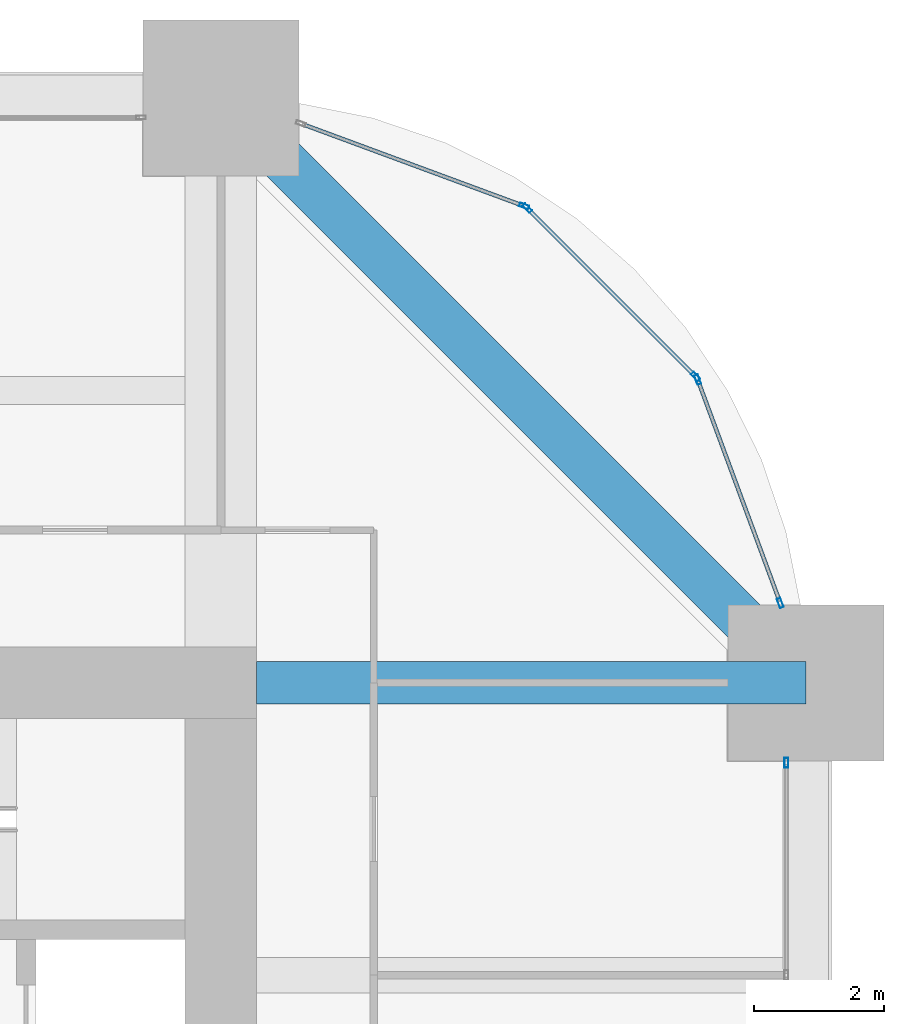
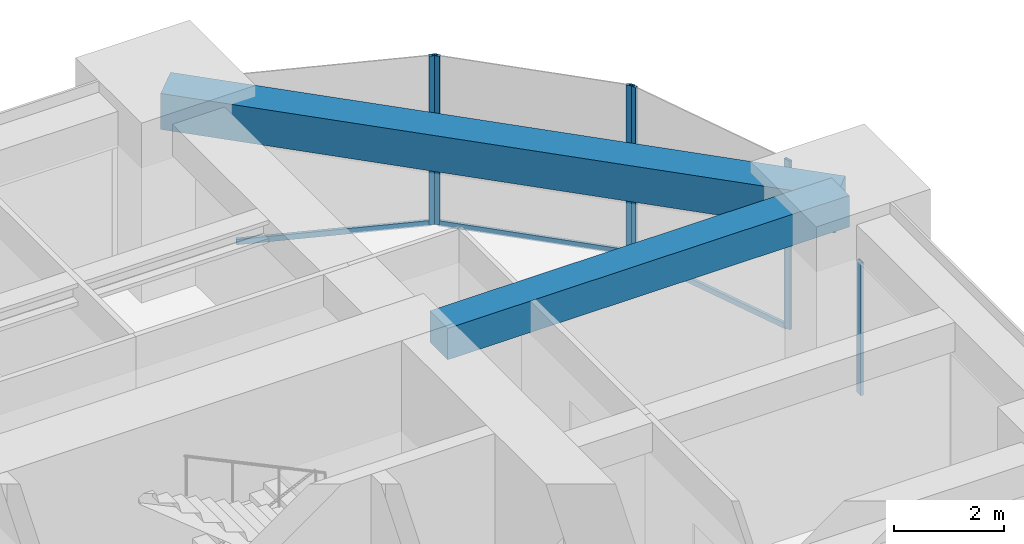
# One storey, part 27 of 33: 9 members, 2 beams, 4 elements without a shape of their own.
"""IFC4 building model written with IfcOpenShell, lengths in metres."""

from ifc_helpers import new_model, si_unit, direction, frame, origin, origin_2d, place, context, subcontext, project, spatial, rectangle, hollow_rectangle, extrude, material, material_profile, profile_set, type_object, element, aggregate, save


model = new_model("IFC4")

# Units and contexts
model_context = context("Model", 3, precision=1e-05, world=origin(), true_north=direction((0.0, 1.0)))
body_context = subcontext(model_context, "Body", "Model", "MODEL_VIEW")
ifc_project = project(units=[si_unit("LENGTHUNIT", "METRE"), si_unit("AREAUNIT", "SQUARE_METRE"), si_unit("VOLUMEUNIT", "CUBIC_METRE"), si_unit("PLANEANGLEUNIT", "RADIAN"), si_unit("MASSUNIT", "GRAM", prefix="KILO")], contexts=[model_context])

# Site, building, storey
site_placement = place(None, origin())
site = spatial("IfcSite", under=ifc_project, at=site_placement, CompositionType="ELEMENT")
building_placement = place(site_placement, origin())
building = spatial("IfcBuilding", under=site, at=building_placement, Name="Zorevar Civic Tower", CompositionType="ELEMENT")
storey_placement = place(building_placement, frame((0.0, 0.0, 210.199951171875)))
storey = spatial("IfcBuildingStorey", under=building, at=storey_placement, Name="L51", CompositionType="ELEMENT", Elevation=210.199951171875)

# Beam
ifc_material_1 = material(Name="Concrete C50/60", Category="concrete")
ifc_material_profile_1 = material_profile(ifc_material_1, rectangle(XDim=0.64990234375, YDim=0.699951171875, at=origin_2d()), Name="RC 650x700")
ifc_profile_set_1 = profile_set([ifc_material_profile_1], Name="Concrete C50/60")
beam_type_1 = type_object("IfcBeamType", Name="Beam RC 650x700", PredefinedType="BEAM", material=ifc_profile_set_1)
beam_1_placement = place(storey_placement, frame((45.550048828125, 36.0, 3.400146484375), z_axis=(1.0, 0.0, 0.0), x_axis=(0.0, 1.0, 0.0)))
element("IfcBeam", 1, at=beam_1_placement, inside=storey, type_object=beam_type_1, Name="Girder L52", PredefinedType="BEAM", context=body_context, shape_type="SweptSolid", body=[
    extrude(rectangle(XDim=0.64990234375, YDim=0.699951171875, at=origin_2d()), origin(), (0.0, 0.0, 1.0), 8.449951171875),
])

# Curtain wall, member
ifc_material_2 = material(Name="Dark grey solar-control glass in black aluminium frame", Category="aluminium")
curtain_wall_type = type_object("IfcCurtainWallType", Name="Curtain wall CW4 high zone", PredefinedType="NOTDEFINED", material=ifc_material_2)
curtain_wall_1_placement = place(storey_placement, origin())
curtain_wall_1 = element("IfcCurtainWall", 2, at=curtain_wall_1_placement, inside=storey, type_object=curtain_wall_type, Name="CW4 L51", PredefinedType="NOTDEFINED")
ifc_material_3 = material(Name="Aluminium, black anodised", Category="aluminium")
ifc_material_profile_2 = material_profile(ifc_material_3, hollow_rectangle(XDim=0.06005859375, YDim=0.14990234375, WallThickness=0.00390625, at=origin_2d()), Name="AL 150x60x4")
ifc_profile_set_2 = profile_set([ifc_material_profile_2], Name="Aluminium, black anodised")
member_type_1 = type_object("IfcMemberType", Name="CW4 mullion AL 150x60x4", PredefinedType="MULLION", material=ifc_profile_set_2)
member_1_placement = place(storey_placement, frame((53.699951171875, 34.77001953125, 0.0), z_axis=(0.0, 0.0, 1.0), x_axis=(-1.0, 0.0, 0.0)))
member_1 = element("IfcMember", 3, at=member_1_placement, type_object=member_type_1, Name="CW4 mullion 3", PredefinedType="MULLION", context=body_context, shape_type="SweptSolid", body=[
    extrude(hollow_rectangle(XDim=0.06005859375, YDim=0.14990234375, WallThickness=0.00390625, at=origin_2d()), origin(), (0.0, 0.0, 1.0), 2.949951171875),
])
aggregate(curtain_wall_1, [member_1])

# Curtain wall, members
curtain_wall_2_placement = place(storey_placement, origin())
curtain_wall_2 = element("IfcCurtainWall", 4, at=curtain_wall_2_placement, inside=storey, type_object=curtain_wall_type, Name="CW4 L51", PredefinedType="NOTDEFINED")
member_2_placement = place(storey_placement, frame((53.6064453125, 37.22802734375, 0.0), z_axis=(0.0, 0.0, 1.0), x_axis=(-0.937974588163, -0.346704012033, 0.0)))
member_2 = element("IfcMember", 5, at=member_2_placement, type_object=member_type_1, Name="CW4 mullion 1", PredefinedType="MULLION", context=body_context, shape_type="SweptSolid", body=[
    extrude(hollow_rectangle(XDim=0.06005859375, YDim=0.14990234375, WallThickness=0.00390625, at=origin_2d()), origin(), (0.0, 0.0, 1.0), 3.75),
])
member_3_placement = place(storey_placement, frame((52.336181640625, 40.66455078125, 0.0), z_axis=(0.0, 0.0, 1.0), x_axis=(-0.937974588163, -0.346704012033, 0.0)))
member_3 = element("IfcMember", 6, at=member_3_placement, type_object=member_type_1, Name="CW4 mullion 2", PredefinedType="MULLION", context=body_context, shape_type="SweptSolid", body=[
    extrude(hollow_rectangle(XDim=0.06005859375, YDim=0.14990234375, WallThickness=0.00390625, at=origin_2d()), origin(), (0.0, 0.0, 1.0), 3.75),
])

curtain_wall_3_placement = place(storey_placement, origin())
curtain_wall_3 = element("IfcCurtainWall", 7, at=curtain_wall_3_placement, inside=storey, type_object=curtain_wall_type, Name="CW4 L51", PredefinedType="NOTDEFINED")
member_4_placement = place(storey_placement, frame((52.3046875, 40.7138671875, 0.0), z_axis=(0.0, 0.0, 1.0), x_axis=(-0.707106781187, -0.707106781187, 0.0)))
member_4 = element("IfcMember", 8, at=member_4_placement, type_object=member_type_1, Name="CW4 mullion 1", PredefinedType="MULLION", context=body_context, shape_type="SweptSolid", body=[
    extrude(hollow_rectangle(XDim=0.06005859375, YDim=0.14990234375, WallThickness=0.00390625, at=origin_2d()), origin(), (0.0, 0.0, 1.0), 3.75),
])
member_5_placement = place(storey_placement, frame((49.7138671875, 43.3046875, 0.0), z_axis=(0.0, 0.0, 1.0), x_axis=(-0.707106781187, -0.707106781187, 0.0)))
member_5 = element("IfcMember", 9, at=member_5_placement, type_object=member_type_1, Name="CW4 mullion 2", PredefinedType="MULLION", context=body_context, shape_type="SweptSolid", body=[
    extrude(hollow_rectangle(XDim=0.06005859375, YDim=0.14990234375, WallThickness=0.00390625, at=origin_2d()), origin(), (0.0, 0.0, 1.0), 3.75),
])

# Curtain wall, member
curtain_wall_4_placement = place(storey_placement, origin())
curtain_wall_4 = element("IfcCurtainWall", 10, at=curtain_wall_4_placement, inside=storey, type_object=curtain_wall_type, Name="CW4 L51", PredefinedType="NOTDEFINED")
member_6_placement = place(storey_placement, frame((49.66455078125, 43.336181640625, 0.0), z_axis=(0.0, 0.0, 1.0), x_axis=(-0.346704012033, -0.937974588163, 0.0)))
member_6 = element("IfcMember", 11, at=member_6_placement, type_object=member_type_1, Name="CW4 mullion 1", PredefinedType="MULLION", context=body_context, shape_type="SweptSolid", body=[
    extrude(hollow_rectangle(XDim=0.06005859375, YDim=0.14990234375, WallThickness=0.00390625, at=origin_2d()), origin(), (0.0, 0.0, 1.0), 3.75),
])

# Member
ifc_material_4 = material(Name="Aluminium, black anodised", Category="aluminium")
ifc_material_profile_3 = material_profile(ifc_material_4, hollow_rectangle(XDim=0.06005859375, YDim=0.1201171875, WallThickness=0.0029296875, at=origin_2d()), Name="AL 120x60x3")
ifc_profile_set_3 = profile_set([ifc_material_profile_3], Name="Aluminium, black anodised")
member_type_2 = type_object("IfcMemberType", Name="CW4 transom AL 120x60x3", PredefinedType="USERDEFINED", material=ifc_profile_set_3)
member_7_placement = place(storey_placement, frame((53.595947265625, 37.25634765625, 0.030029296875), z_axis=(-0.346672169799, 0.93798635741, 0.0), x_axis=(-0.93798635741, -0.346672169799, 0.0)))
member_7 = element("IfcMember", 12, at=member_7_placement, type_object=member_type_2, Name="CW4 sill transom", ObjectType="TRANSOM", PredefinedType="USERDEFINED", context=body_context, shape_type="SweptSolid", body=[
    extrude(hollow_rectangle(XDim=0.06005859375, YDim=0.1201171875, WallThickness=0.0029296875, at=origin_2d()), origin(), (0.0, 0.0, 1.0), 3.603515625),
])

aggregate(curtain_wall_2, [member_2, member_3, member_7])

member_8_placement = place(storey_placement, frame((52.283447265625, 40.735107421875, 0.030029296875), z_axis=(-0.707106781187, 0.707106781187, 0.0), x_axis=(-0.707106781187, -0.707106781187, 0.0)))
member_8 = element("IfcMember", 13, at=member_8_placement, type_object=member_type_2, Name="CW4 sill transom", ObjectType="TRANSOM", PredefinedType="USERDEFINED", context=body_context, shape_type="SweptSolid", body=[
    extrude(hollow_rectangle(XDim=0.06005859375, YDim=0.1201171875, WallThickness=0.0029296875, at=origin_2d()), origin(), (0.0, 0.0, 1.0), 3.60400390625),
])

aggregate(curtain_wall_3, [member_4, member_5, member_8])

member_9_placement = place(storey_placement, frame((49.636474609375, 43.3466796875, 0.030029296875), z_axis=(-0.93798635741, 0.346672169799, 0.0), x_axis=(-0.346672169799, -0.93798635741, 0.0)))
member_9 = element("IfcMember", 14, at=member_9_placement, type_object=member_type_2, Name="CW4 sill transom", ObjectType="TRANSOM", PredefinedType="USERDEFINED", context=body_context, shape_type="SweptSolid", body=[
    extrude(hollow_rectangle(XDim=0.06005859375, YDim=0.1201171875, WallThickness=0.0029296875, at=origin_2d()), origin(), (0.0, 0.0, 1.0), 3.603515625),
])

aggregate(curtain_wall_4, [member_6, member_9])

# Beam
ifc_material_5 = material(Name="Concrete C50/60", Category="concrete")
ifc_material_profile_4 = material_profile(ifc_material_5, rectangle(XDim=0.699951171875, YDim=0.800048828125, at=origin_2d()), Name="RC 700x800")
ifc_profile_set_4 = profile_set([ifc_material_profile_4], Name="Concrete C50/60")
beam_type_2 = type_object("IfcBeamType", Name="Edge beam RC 700x800", PredefinedType="SPANDREL", material=ifc_profile_set_4)
beam_2_placement = place(storey_placement, frame((54.0, 36.0, 3.35009765625), z_axis=(-0.707106781187, 0.707106781187, 0.0), x_axis=(-0.707106781187, -0.707106781187, 0.0)))
element("IfcBeam", 15, at=beam_2_placement, inside=storey, type_object=beam_type_2, Name="Corner edge beam L52", PredefinedType="SPANDREL", context=body_context, shape_type="SweptSolid", body=[
    extrude(rectangle(XDim=0.699951171875, YDim=0.800048828125, at=origin_2d()), origin(), (0.0, 0.0, 1.0), 12.72802734375),
])

save(model, "model.ifc")
